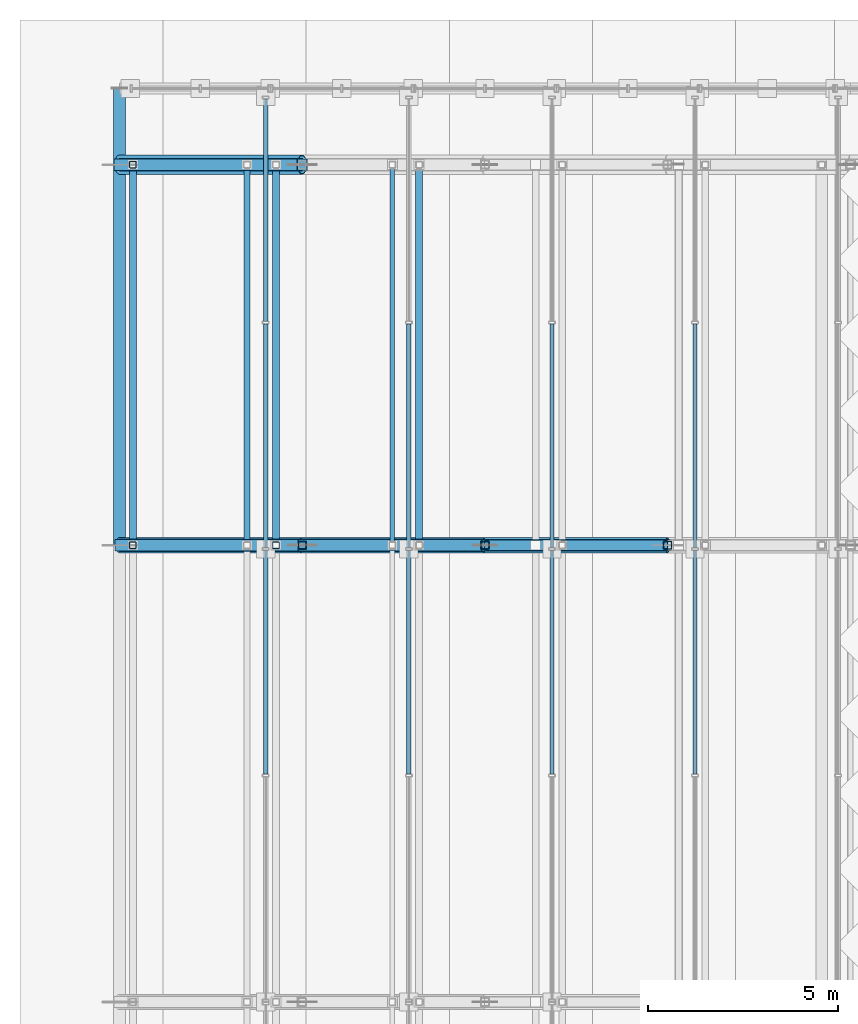
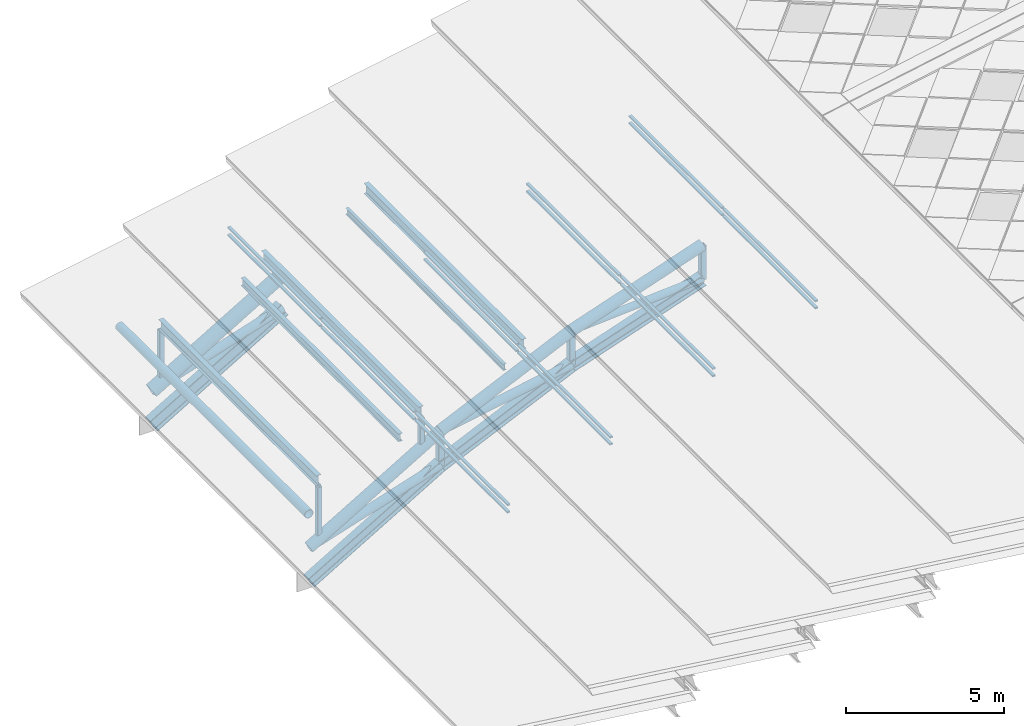
# One storey, part 31 of 117: 41 members, 1 beam, 4 elements without a shape of their own.
"""IFC4 building model written with IfcOpenShell, lengths in metres."""

from ifc_helpers import new_model, si_unit, direction, frame, origin, origin_2d, place, context, subcontext, project, spatial, hollow_rectangle, hollow_circle, i_section, extrude, material, material_profile, profile_set, type_object, element, aggregate, save


model = new_model("IFC4")

# Units and contexts
model_context = context("Model", 3, precision=1e-05, world=origin(), true_north=direction((0.0, 1.0)))
body_context = subcontext(model_context, "Body", "Model", "MODEL_VIEW")
ifc_project = project(units=[si_unit("LENGTHUNIT", "METRE"), si_unit("AREAUNIT", "SQUARE_METRE"), si_unit("VOLUMEUNIT", "CUBIC_METRE"), si_unit("PLANEANGLEUNIT", "RADIAN"), si_unit("MASSUNIT", "GRAM", prefix="KILO")], contexts=[model_context])

# Site, building, storey
site_placement = place(None, origin())
site = spatial("IfcSite", under=ifc_project, at=site_placement, CompositionType="ELEMENT")
building_placement = place(site_placement, origin())
building = spatial("IfcBuilding", under=site, at=building_placement, Name="Merenkruunu Market Hall", CompositionType="ELEMENT")
storey_placement = place(building_placement, frame((0.0, 0.0, 22.800048828125)))
storey = spatial("IfcBuildingStorey", under=building, at=storey_placement, Name="RF", CompositionType="ELEMENT", Elevation=22.800048828125)

# Members
ifc_material_1 = material(Name="Steel S355ML", Category="steel")
ifc_material_profile_1 = material_profile(ifc_material_1, hollow_circle(Radius=0.25390625, WallThickness=0.02001953125, at=origin_2d()), Name="CHS 508x20")
ifc_profile_set_1 = profile_set([ifc_material_profile_1], Name="Steel S355ML")
member_type_1 = type_object("IfcMemberType", Name="Arch Truss Chord TC01", PredefinedType="CHORD", material=ifc_profile_set_1)
member_1_placement = place(storey_placement, frame((0.0, 109.60009765625, -10.150146484375), z_axis=(0.861115679414, 0.0, 0.508409074139), x_axis=(0.0, 1.0, 0.0)))
element("IfcMember", 1, at=member_1_placement, inside=storey, type_object=member_type_1, Name="TRUSS-AT-G-TOP-01", PredefinedType="CHORD", context=body_context, shape_type="SweptSolid", body=[
    extrude(hollow_circle(Radius=0.25390625, WallThickness=0.02001953125, at=origin_2d()), origin(), (0.0, 0.0, 1.0), 5.57421875),
])
ifc_material_profile_2 = material_profile(ifc_material_1, hollow_circle(Radius=0.203125, WallThickness=0.01611328125, at=origin_2d()), Name="CHS 406.4x16")
ifc_profile_set_2 = profile_set([ifc_material_profile_2], Name="Steel S355ML")
member_type_2 = type_object("IfcMemberType", Name="Arch Truss Chord TC02", PredefinedType="CHORD", material=ifc_profile_set_2)
member_2_placement = place(storey_placement, frame((0.0, 99.60009765625, -10.150146484375), z_axis=(0.861115679414, 0.0, 0.508409074139), x_axis=(0.0, 1.0, 0.0)))
element("IfcMember", 2, at=member_2_placement, inside=storey, type_object=member_type_2, Name="TRUSS-AT-8-TOP-01", PredefinedType="CHORD", context=body_context, shape_type="SweptSolid", body=[
    extrude(hollow_circle(Radius=0.203125, WallThickness=0.01611328125, at=origin_2d()), origin(), (0.0, 0.0, 1.0), 5.57421875),
])
member_3_placement = place(storey_placement, frame((4.800048828125, 99.60009765625, -7.316162109375), z_axis=(0.909419998666, 0.0, 0.415878907889), x_axis=(0.0, 1.0, 0.0)))
element("IfcMember", 3, at=member_3_placement, inside=storey, type_object=member_type_2, Name="TRUSS-AT-8-TOP-02", PredefinedType="CHORD", context=body_context, shape_type="SweptSolid", body=[
    extrude(hollow_circle(Radius=0.203125, WallThickness=0.01611328125, at=origin_2d()), origin(), (0.0, 0.0, 1.0), 5.278076171875),
])
member_4_placement = place(storey_placement, frame((9.60009765625, 99.60009765625, -5.12109375), z_axis=(0.946219828174, 0.0, 0.323524399033), x_axis=(0.0, 1.0, 0.0)))
element("IfcMember", 4, at=member_4_placement, inside=storey, type_object=member_type_2, Name="TRUSS-AT-8-TOP-03", PredefinedType="CHORD", context=body_context, shape_type="SweptSolid", body=[
    extrude(hollow_circle(Radius=0.203125, WallThickness=0.01611328125, at=origin_2d()), origin(), (0.0, 0.0, 1.0), 5.072509765625),
])
ifc_material_profile_3 = material_profile(ifc_material_1, i_section(OverallWidth=0.300048828125, OverallDepth=0.550048828125, WebThickness=0.014892578125, FlangeThickness=0.029052734375, FilletRadius=0.027099609375, at=origin_2d()), Name="HEB 550")
ifc_profile_set_3 = profile_set([ifc_material_profile_3], Name="Steel S355ML")
member_type_3 = type_object("IfcMemberType", Name="Arch Truss Chord TC03", PredefinedType="CHORD", material=ifc_profile_set_3)
member_5_placement = place(storey_placement, frame((0.0, 109.60009765625, -11.449951171875), z_axis=(0.861115679414, 0.0, 0.508409074139), x_axis=(0.0, 1.0, 0.0)))
element("IfcMember", 5, at=member_5_placement, inside=storey, type_object=member_type_3, Name="TRUSS-AT-G-BOT-01", PredefinedType="CHORD", context=body_context, shape_type="SweptSolid", body=[
    extrude(i_section(OverallWidth=0.300048828125, OverallDepth=0.550048828125, WebThickness=0.014892578125, FlangeThickness=0.029052734375, FilletRadius=0.027099609375, at=origin_2d()), origin(), (0.0, 0.0, 1.0), 5.57421875),
])
ifc_material_profile_4 = material_profile(ifc_material_1, i_section(OverallWidth=0.300048828125, OverallDepth=0.449951171875, WebThickness=0.013916015625, FlangeThickness=0.02587890625, FilletRadius=0.027099609375, at=origin_2d()), Name="HEB 450")
ifc_profile_set_4 = profile_set([ifc_material_profile_4], Name="Steel S355ML")
member_type_4 = type_object("IfcMemberType", Name="Arch Truss Chord TC04", PredefinedType="CHORD", material=ifc_profile_set_4)
member_6_placement = place(storey_placement, frame((0.0, 99.60009765625, -11.449951171875), z_axis=(0.861115679414, 0.0, 0.508409074139), x_axis=(0.0, 1.0, 0.0)))
element("IfcMember", 6, at=member_6_placement, inside=storey, type_object=member_type_4, Name="TRUSS-AT-8-BOT-01", PredefinedType="CHORD", context=body_context, shape_type="SweptSolid", body=[
    extrude(i_section(OverallWidth=0.300048828125, OverallDepth=0.449951171875, WebThickness=0.013916015625, FlangeThickness=0.02587890625, FilletRadius=0.027099609375, at=origin_2d()), origin(), (0.0, 0.0, 1.0), 5.57421875),
])
member_7_placement = place(storey_placement, frame((4.800048828125, 99.60009765625, -8.615966796875), z_axis=(0.909437492245, 0.0, 0.415840651812), x_axis=(0.0, 1.0, 0.0)))
element("IfcMember", 7, at=member_7_placement, inside=storey, type_object=member_type_4, Name="TRUSS-AT-8-BOT-02", PredefinedType="CHORD", context=body_context, shape_type="SweptSolid", body=[
    extrude(i_section(OverallWidth=0.300048828125, OverallDepth=0.449951171875, WebThickness=0.013916015625, FlangeThickness=0.02587890625, FilletRadius=0.027099609375, at=origin_2d()), origin(), (0.0, 0.0, 1.0), 5.278076171875),
])
member_8_placement = place(storey_placement, frame((9.60009765625, 99.60009765625, -6.421142578125), z_axis=(0.946219828174, 0.0, 0.323524399033), x_axis=(0.0, 1.0, 0.0)))
element("IfcMember", 8, at=member_8_placement, inside=storey, type_object=member_type_4, Name="TRUSS-AT-8-BOT-03", PredefinedType="CHORD", context=body_context, shape_type="SweptSolid", body=[
    extrude(i_section(OverallWidth=0.300048828125, OverallDepth=0.449951171875, WebThickness=0.013916015625, FlangeThickness=0.02587890625, FilletRadius=0.027099609375, at=origin_2d()), origin(), (0.0, 0.0, 1.0), 5.072509765625),
])

# Curtain wall, members
ifc_material_2 = material(Name="Powder-coated aluminium", Category="aluminium")
curtain_wall_type = type_object("IfcCurtainWallType", Name="Clerestory Curtain Band CL05", PredefinedType="USERDEFINED", material=ifc_material_2)
curtain_wall_1_placement = place(storey_placement, origin())
curtain_wall_1 = element("IfcCurtainWall", 9, at=curtain_wall_1_placement, inside=storey, type_object=curtain_wall_type, Name="CW-RF-CWM04-087", ObjectType="CLERESTORY_BAND", PredefinedType="USERDEFINED")
ifc_material_profile_5 = material_profile(ifc_material_2, hollow_rectangle(XDim=0.06005859375, YDim=0.110107421875, WallThickness=0.00390625, at=origin_2d()), Name="ALU 60x110x4")
ifc_profile_set_5 = profile_set([ifc_material_profile_5], Name="Powder-coated aluminium")
member_type_5 = type_object("IfcMemberType", Name="Curtain Wall Transom CWT03", PredefinedType="USERDEFINED", material=ifc_profile_set_5)
member_9_placement = place(storey_placement, frame((3.840087890625, 93.5849609375, -6.491943359375), z_axis=(0.0, 1.0, 0.0), x_axis=(0.0, 0.0, 1.0)))
member_9 = element("IfcMember", 10, at=member_9_placement, type_object=member_type_5, Name="CL05 transom 2.1", ObjectType="TRANSOM", PredefinedType="USERDEFINED", context=body_context, shape_type="SweptSolid", body=[
    extrude(hollow_rectangle(XDim=0.06005859375, YDim=0.110107421875, WallThickness=0.00390625, at=origin_2d()), origin(), (0.0, 0.0, 1.0), 5.880126953125),
])
member_10_placement = place(storey_placement, frame((3.840087890625, 93.5849609375, -6.2041015625), z_axis=(0.0, 1.0, 0.0), x_axis=(0.0, 0.0, 1.0)))
member_10 = element("IfcMember", 11, at=member_10_placement, type_object=member_type_5, Name="CL05 transom 2.2", ObjectType="TRANSOM", PredefinedType="USERDEFINED", context=body_context, shape_type="SweptSolid", body=[
    extrude(hollow_rectangle(XDim=0.06005859375, YDim=0.110107421875, WallThickness=0.00390625, at=origin_2d()), origin(), (0.0, 0.0, 1.0), 5.880126953125),
])
member_11_placement = place(storey_placement, frame((3.840087890625, 99.534912109375, -6.491943359375), z_axis=(0.0, 1.0, 0.0), x_axis=(0.0, 0.0, 1.0)))
member_11 = element("IfcMember", 12, at=member_11_placement, type_object=member_type_5, Name="CL05 transom 3.1", ObjectType="TRANSOM", PredefinedType="USERDEFINED", context=body_context, shape_type="SweptSolid", body=[
    extrude(hollow_rectangle(XDim=0.06005859375, YDim=0.110107421875, WallThickness=0.00390625, at=origin_2d()), origin(), (0.0, 0.0, 1.0), 5.880126953125),
])
member_12_placement = place(storey_placement, frame((3.840087890625, 99.534912109375, -6.2041015625), z_axis=(0.0, 1.0, 0.0), x_axis=(0.0, 0.0, 1.0)))
member_12 = element("IfcMember", 13, at=member_12_placement, type_object=member_type_5, Name="CL05 transom 3.2", ObjectType="TRANSOM", PredefinedType="USERDEFINED", context=body_context, shape_type="SweptSolid", body=[
    extrude(hollow_rectangle(XDim=0.06005859375, YDim=0.110107421875, WallThickness=0.00390625, at=origin_2d()), origin(), (0.0, 0.0, 1.0), 5.880126953125),
])
member_13_placement = place(storey_placement, frame((3.840087890625, 105.485107421875, -6.491943359375), z_axis=(0.0, 1.0, 0.0), x_axis=(0.0, 0.0, 1.0)))
member_13 = element("IfcMember", 14, at=member_13_placement, type_object=member_type_5, Name="CL05 transom 4.1", ObjectType="TRANSOM", PredefinedType="USERDEFINED", context=body_context, shape_type="SweptSolid", body=[
    extrude(hollow_rectangle(XDim=0.06005859375, YDim=0.110107421875, WallThickness=0.00390625, at=origin_2d()), origin(), (0.0, 0.0, 1.0), 5.844970703125),
])
member_14_placement = place(storey_placement, frame((3.840087890625, 105.485107421875, -6.2041015625), z_axis=(0.0, 1.0, 0.0), x_axis=(0.0, 0.0, 1.0)))
member_14 = element("IfcMember", 15, at=member_14_placement, type_object=member_type_5, Name="CL05 transom 4.2", ObjectType="TRANSOM", PredefinedType="USERDEFINED", context=body_context, shape_type="SweptSolid", body=[
    extrude(hollow_rectangle(XDim=0.06005859375, YDim=0.110107421875, WallThickness=0.00390625, at=origin_2d()), origin(), (0.0, 0.0, 1.0), 5.844970703125),
])
aggregate(curtain_wall_1, [member_9, member_10, member_11, member_12, member_13, member_14])

curtain_wall_2_placement = place(storey_placement, origin())
curtain_wall_2 = element("IfcCurtainWall", 16, at=curtain_wall_2_placement, inside=storey, type_object=curtain_wall_type, Name="CW-RF-CWM04-095", ObjectType="CLERESTORY_BAND", PredefinedType="USERDEFINED")
member_15_placement = place(storey_placement, frame((7.60009765625, 93.5849609375, -5.172119140625), z_axis=(0.0, 1.0, 0.0), x_axis=(0.0, 0.0, 1.0)))
member_15 = element("IfcMember", 17, at=member_15_placement, type_object=member_type_5, Name="CL05 transom 2.1", ObjectType="TRANSOM", PredefinedType="USERDEFINED", context=body_context, shape_type="SweptSolid", body=[
    extrude(hollow_rectangle(XDim=0.06005859375, YDim=0.110107421875, WallThickness=0.00390625, at=origin_2d()), origin(), (0.0, 0.0, 1.0), 5.880126953125),
])
member_16_placement = place(storey_placement, frame((7.60009765625, 93.5849609375, -4.905029296875), z_axis=(0.0, 1.0, 0.0), x_axis=(0.0, 0.0, 1.0)))
member_16 = element("IfcMember", 18, at=member_16_placement, type_object=member_type_5, Name="CL05 transom 2.2", ObjectType="TRANSOM", PredefinedType="USERDEFINED", context=body_context, shape_type="SweptSolid", body=[
    extrude(hollow_rectangle(XDim=0.06005859375, YDim=0.110107421875, WallThickness=0.00390625, at=origin_2d()), origin(), (0.0, 0.0, 1.0), 5.880126953125),
])
member_17_placement = place(storey_placement, frame((7.60009765625, 99.534912109375, -5.172119140625), z_axis=(0.0, 1.0, 0.0), x_axis=(0.0, 0.0, 1.0)))
member_17 = element("IfcMember", 19, at=member_17_placement, type_object=member_type_5, Name="CL05 transom 3.1", ObjectType="TRANSOM", PredefinedType="USERDEFINED", context=body_context, shape_type="SweptSolid", body=[
    extrude(hollow_rectangle(XDim=0.06005859375, YDim=0.110107421875, WallThickness=0.00390625, at=origin_2d()), origin(), (0.0, 0.0, 1.0), 5.880126953125),
])
member_18_placement = place(storey_placement, frame((7.60009765625, 99.534912109375, -4.905029296875), z_axis=(0.0, 1.0, 0.0), x_axis=(0.0, 0.0, 1.0)))
member_18 = element("IfcMember", 20, at=member_18_placement, type_object=member_type_5, Name="CL05 transom 3.2", ObjectType="TRANSOM", PredefinedType="USERDEFINED", context=body_context, shape_type="SweptSolid", body=[
    extrude(hollow_rectangle(XDim=0.06005859375, YDim=0.110107421875, WallThickness=0.00390625, at=origin_2d()), origin(), (0.0, 0.0, 1.0), 5.880126953125),
])
aggregate(curtain_wall_2, [member_15, member_16, member_17, member_18])

curtain_wall_3_placement = place(storey_placement, origin())
curtain_wall_3 = element("IfcCurtainWall", 21, at=curtain_wall_3_placement, inside=storey, type_object=curtain_wall_type, Name="CW-RF-CWM04-103", ObjectType="CLERESTORY_BAND", PredefinedType="USERDEFINED")
member_19_placement = place(storey_placement, frame((11.360107421875, 93.5849609375, -3.85205078125), z_axis=(0.0, 1.0, 0.0), x_axis=(0.0, 0.0, 1.0)))
member_19 = element("IfcMember", 22, at=member_19_placement, type_object=member_type_5, Name="CL05 transom 2.1", ObjectType="TRANSOM", PredefinedType="USERDEFINED", context=body_context, shape_type="SweptSolid", body=[
    extrude(hollow_rectangle(XDim=0.06005859375, YDim=0.110107421875, WallThickness=0.00390625, at=origin_2d()), origin(), (0.0, 0.0, 1.0), 5.880126953125),
])
member_20_placement = place(storey_placement, frame((11.360107421875, 93.5849609375, -3.56396484375), z_axis=(0.0, 1.0, 0.0), x_axis=(0.0, 0.0, 1.0)))
member_20 = element("IfcMember", 23, at=member_20_placement, type_object=member_type_5, Name="CL05 transom 2.2", ObjectType="TRANSOM", PredefinedType="USERDEFINED", context=body_context, shape_type="SweptSolid", body=[
    extrude(hollow_rectangle(XDim=0.06005859375, YDim=0.110107421875, WallThickness=0.00390625, at=origin_2d()), origin(), (0.0, 0.0, 1.0), 5.880126953125),
])
member_21_placement = place(storey_placement, frame((11.360107421875, 99.534912109375, -3.85205078125), z_axis=(0.0, 1.0, 0.0), x_axis=(0.0, 0.0, 1.0)))
member_21 = element("IfcMember", 24, at=member_21_placement, type_object=member_type_5, Name="CL05 transom 3.1", ObjectType="TRANSOM", PredefinedType="USERDEFINED", context=body_context, shape_type="SweptSolid", body=[
    extrude(hollow_rectangle(XDim=0.06005859375, YDim=0.110107421875, WallThickness=0.00390625, at=origin_2d()), origin(), (0.0, 0.0, 1.0), 5.880126953125),
])
member_22_placement = place(storey_placement, frame((11.360107421875, 99.534912109375, -3.56396484375), z_axis=(0.0, 1.0, 0.0), x_axis=(0.0, 0.0, 1.0)))
member_22 = element("IfcMember", 25, at=member_22_placement, type_object=member_type_5, Name="CL05 transom 3.2", ObjectType="TRANSOM", PredefinedType="USERDEFINED", context=body_context, shape_type="SweptSolid", body=[
    extrude(hollow_rectangle(XDim=0.06005859375, YDim=0.110107421875, WallThickness=0.00390625, at=origin_2d()), origin(), (0.0, 0.0, 1.0), 5.880126953125),
])
aggregate(curtain_wall_3, [member_19, member_20, member_21, member_22])

curtain_wall_4_placement = place(storey_placement, origin())
curtain_wall_4 = element("IfcCurtainWall", 26, at=curtain_wall_4_placement, inside=storey, type_object=curtain_wall_type, Name="CW-RF-CWM04-111", ObjectType="CLERESTORY_BAND", PredefinedType="USERDEFINED")
member_23_placement = place(storey_placement, frame((15.1201171875, 93.5849609375, -2.531982421875), z_axis=(0.0, 1.0, 0.0), x_axis=(0.0, 0.0, 1.0)))
member_23 = element("IfcMember", 27, at=member_23_placement, type_object=member_type_5, Name="CL05 transom 2.1", ObjectType="TRANSOM", PredefinedType="USERDEFINED", context=body_context, shape_type="SweptSolid", body=[
    extrude(hollow_rectangle(XDim=0.06005859375, YDim=0.110107421875, WallThickness=0.00390625, at=origin_2d()), origin(), (0.0, 0.0, 1.0), 5.880126953125),
])
member_24_placement = place(storey_placement, frame((15.1201171875, 93.5849609375, -2.26513671875), z_axis=(0.0, 1.0, 0.0), x_axis=(0.0, 0.0, 1.0)))
member_24 = element("IfcMember", 28, at=member_24_placement, type_object=member_type_5, Name="CL05 transom 2.2", ObjectType="TRANSOM", PredefinedType="USERDEFINED", context=body_context, shape_type="SweptSolid", body=[
    extrude(hollow_rectangle(XDim=0.06005859375, YDim=0.110107421875, WallThickness=0.00390625, at=origin_2d()), origin(), (0.0, 0.0, 1.0), 5.880126953125),
])
member_25_placement = place(storey_placement, frame((15.1201171875, 99.534912109375, -2.531982421875), z_axis=(0.0, 1.0, 0.0), x_axis=(0.0, 0.0, 1.0)))
member_25 = element("IfcMember", 29, at=member_25_placement, type_object=member_type_5, Name="CL05 transom 3.1", ObjectType="TRANSOM", PredefinedType="USERDEFINED", context=body_context, shape_type="SweptSolid", body=[
    extrude(hollow_rectangle(XDim=0.06005859375, YDim=0.110107421875, WallThickness=0.00390625, at=origin_2d()), origin(), (0.0, 0.0, 1.0), 5.880126953125),
])
member_26_placement = place(storey_placement, frame((15.1201171875, 99.534912109375, -2.26513671875), z_axis=(0.0, 1.0, 0.0), x_axis=(0.0, 0.0, 1.0)))
member_26 = element("IfcMember", 30, at=member_26_placement, type_object=member_type_5, Name="CL05 transom 3.2", ObjectType="TRANSOM", PredefinedType="USERDEFINED", context=body_context, shape_type="SweptSolid", body=[
    extrude(hollow_rectangle(XDim=0.06005859375, YDim=0.110107421875, WallThickness=0.00390625, at=origin_2d()), origin(), (0.0, 0.0, 1.0), 5.880126953125),
])
aggregate(curtain_wall_4, [member_23, member_24, member_25, member_26])

# Members
ifc_material_profile_6 = material_profile(ifc_material_1, hollow_circle(Radius=0.161865234375, WallThickness=0.01611328125, at=origin_2d()), Name="CHS 323.9x16")
ifc_profile_set_6 = profile_set([ifc_material_profile_6], Name="Steel S355ML")
member_type_6 = type_object("IfcMemberType", Name="Diagonal Sway Brace BR01", PredefinedType="BRACE", material=ifc_profile_set_6)
member_27_placement = place(storey_placement, frame((0.0, 99.60009765625, -10.150146484375), z_axis=(0.95252984503, 0.0, 0.304445223853), x_axis=(0.0, 1.0, 0.0)))
element("IfcMember", 31, at=member_27_placement, inside=storey, type_object=member_type_6, Name="TRUSS-AT-8-DIAG-01", PredefinedType="BRACE", context=body_context, shape_type="SweptSolid", body=[
    extrude(hollow_circle(Radius=0.161865234375, WallThickness=0.01611328125, at=origin_2d()), origin(), (0.0, 0.0, 1.0), 5.039306640625),
])
member_28_placement = place(storey_placement, frame((4.800048828125, 99.60009765625, -7.316162109375), z_axis=(0.983056786802, 0.0, 0.18330126547), x_axis=(0.0, 1.0, 0.0)))
element("IfcMember", 32, at=member_28_placement, inside=storey, type_object=member_type_6, Name="TRUSS-AT-8-DIAG-02", PredefinedType="BRACE", context=body_context, shape_type="SweptSolid", body=[
    extrude(hollow_circle(Radius=0.161865234375, WallThickness=0.01611328125, at=origin_2d()), origin(), (0.0, 0.0, 1.0), 4.8828125),
])
member_29_placement = place(storey_placement, frame((0.0, 109.60009765625, -10.150146484375), z_axis=(0.95252984503, 0.0, 0.304445223853), x_axis=(0.0, 1.0, 0.0)))
element("IfcMember", 33, at=member_29_placement, inside=storey, type_object=member_type_6, Name="TRUSS-AT-G-DIAG-01", PredefinedType="BRACE", context=body_context, shape_type="SweptSolid", body=[
    extrude(hollow_circle(Radius=0.161865234375, WallThickness=0.01611328125, at=origin_2d()), origin(), (0.0, 0.0, 1.0), 5.039306640625),
])
ifc_material_profile_7 = material_profile(ifc_material_1, hollow_circle(Radius=0.136474609375, WallThickness=0.012451171875, at=origin_2d()), Name="CHS 273x12.5")
ifc_profile_set_7 = profile_set([ifc_material_profile_7], Name="Steel S355ML")
member_type_7 = type_object("IfcMemberType", Name="Diagonal Sway Brace BR02", PredefinedType="BRACE", material=ifc_profile_set_7)
member_30_placement = place(storey_placement, frame((9.60009765625, 99.60009765625, -5.12109375), z_axis=(0.997484901828, 0.0, 0.070879267948), x_axis=(0.0, 1.0, 0.0)))
element("IfcMember", 34, at=member_30_placement, inside=storey, type_object=member_type_7, Name="TRUSS-AT-8-DIAG-03", PredefinedType="BRACE", context=body_context, shape_type="SweptSolid", body=[
    extrude(hollow_circle(Radius=0.136474609375, WallThickness=0.012451171875, at=origin_2d()), origin(), (0.0, 0.0, 1.0), 4.81201171875),
])
ifc_material_3 = material(Name="Steel S355J2", Category="steel")
ifc_material_profile_8 = material_profile(ifc_material_3, hollow_rectangle(XDim=0.219970703125, YDim=0.219970703125, WallThickness=0.012451171875, InnerFilletRadius=0.012451171875, OuterFilletRadius=0.02490234375, at=origin_2d()), Name="SHS 220x220x12.5")
ifc_profile_set_8 = profile_set([ifc_material_profile_8], Name="Steel S355J2")
member_type_8 = type_object("IfcMemberType", Name="Diagonal Sway Brace BR04", PredefinedType="BRACE", material=ifc_profile_set_8)
member_31_placement = place(storey_placement, frame((4.800048828125, 99.60009765625, -8.615966796875), z_axis=(0.0, 0.0, 1.0), x_axis=(1.0, 0.0, 0.0)))
element("IfcMember", 35, at=member_31_placement, inside=storey, type_object=member_type_8, Name="TRUSS-AT-8-POST-01", PredefinedType="BRACE", context=body_context, shape_type="SweptSolid", body=[
    extrude(hollow_rectangle(XDim=0.219970703125, YDim=0.219970703125, WallThickness=0.012451171875, InnerFilletRadius=0.012451171875, OuterFilletRadius=0.02490234375, at=origin_2d()), origin(), (0.0, 0.0, 1.0), 1.2998046875),
])
for number, where, z_axis, x_axis, name in (
    (36, (9.60009765625, 99.60009765625, -6.421142578125), (0.0, 0.0, 1.0), (1.0, 0.0, 0.0), "TRUSS-AT-8-POST-02"),
    (37, (14.39990234375, 99.60009765625, -4.780029296875), (0.0, 0.0, 1.0), (1.0, 0.0, 0.0), "TRUSS-AT-8-POST-03"),
):
    element("IfcMember", number, at=place(storey_placement, frame(where, z_axis=z_axis, x_axis=x_axis)), inside=storey, type_object=member_type_8, Name=name, PredefinedType="BRACE", context=body_context, shape_type="SweptSolid", body=[
        extrude(hollow_rectangle(XDim=0.219970703125, YDim=0.219970703125, WallThickness=0.012451171875, InnerFilletRadius=0.012451171875, OuterFilletRadius=0.02490234375, at=origin_2d()), origin(), (0.0, 0.0, 1.0), 1.300048828125),
    ])
ifc_material_profile_9 = material_profile(ifc_material_3, hollow_rectangle(XDim=0.179931640625, YDim=0.179931640625, WallThickness=0.010009765625, InnerFilletRadius=0.010009765625, OuterFilletRadius=0.02001953125, at=origin_2d()), Name="SHS 180x180x10")
ifc_profile_set_9 = profile_set([ifc_material_profile_9], Name="Steel S355J2")
member_type_9 = type_object("IfcMemberType", Name="Diagonal Sway Brace BR05", PredefinedType="BRACE", material=ifc_profile_set_9)
member_32_placement = place(storey_placement, frame((0.35009765625, 99.60009765625, -9.751953125), z_axis=(0.0, 0.0, 1.0), x_axis=(1.0, 0.0, 0.0)))
element("IfcMember", 38, at=member_32_placement, inside=storey, type_object=member_type_9, Name="TRUSS-AT-8-RISER-W1-1", PredefinedType="BRACE", context=body_context, shape_type="SweptSolid", body=[
    extrude(hollow_rectangle(XDim=0.179931640625, YDim=0.179931640625, WallThickness=0.010009765625, InnerFilletRadius=0.010009765625, OuterFilletRadius=0.02001953125, at=origin_2d()), origin(), (0.0, 0.0, 1.0), 1.853515625),
])
member_33_placement = place(storey_placement, frame((4.110107421875, 99.60009765625, -7.53173828125), z_axis=(0.0, 0.0, 1.0), x_axis=(1.0, 0.0, 0.0)))
element("IfcMember", 39, at=member_33_placement, inside=storey, type_object=member_type_9, Name="TRUSS-AT-8-RISER-W2-1", PredefinedType="BRACE", context=body_context, shape_type="SweptSolid", body=[
    extrude(hollow_rectangle(XDim=0.179931640625, YDim=0.179931640625, WallThickness=0.010009765625, InnerFilletRadius=0.010009765625, OuterFilletRadius=0.02001953125, at=origin_2d()), origin(), (0.0, 0.0, 1.0), 0.9736328125),
])
member_34_placement = place(storey_placement, frame((0.35009765625, 109.60009765625, -9.700927734375), z_axis=(0.0, 0.0, 1.0), x_axis=(1.0, 0.0, 0.0)))
element("IfcMember", 40, at=member_34_placement, inside=storey, type_object=member_type_9, Name="TRUSS-AT-G-RISER-W1-1", PredefinedType="BRACE", context=body_context, shape_type="SweptSolid", body=[
    extrude(hollow_rectangle(XDim=0.179931640625, YDim=0.179931640625, WallThickness=0.010009765625, InnerFilletRadius=0.010009765625, OuterFilletRadius=0.02001953125, at=origin_2d()), origin(), (0.0, 0.0, 1.0), 1.802490234375),
])

# Beam
ifc_material_profile_10 = material_profile(ifc_material_1, hollow_circle(Radius=0.161865234375, WallThickness=0.01611328125, at=origin_2d()), Name="CHS 323.9x16")
ifc_profile_set_10 = profile_set([ifc_material_profile_10], Name="Steel S355ML")
beam_type = type_object("IfcBeamType", Name="Perimeter Spandrel Beam SP05", PredefinedType="SPANDREL", material=ifc_profile_set_10)
beam_placement = place(storey_placement, frame((0.0, 99.60009765625, -8.862060546875), z_axis=(0.0, 1.0, 0.0), x_axis=(-1.0, 0.0, 0.0)))
element("IfcBeam", 41, at=beam_placement, inside=storey, type_object=beam_type, Name="BM-RF-SP05-1292", PredefinedType="SPANDREL", context=body_context, shape_type="SweptSolid", body=[
    extrude(hollow_circle(Radius=0.161865234375, WallThickness=0.01611328125, at=origin_2d()), origin(), (0.0, 0.0, 1.0), 12.0),
])

# Members
ifc_material_profile_11 = material_profile(ifc_material_1, i_section(OverallWidth=0.14990234375, OverallDepth=0.300048828125, WebThickness=0.007080078125, FlangeThickness=0.0107421875, FilletRadius=0.014892578125, at=origin_2d()), Name="IPE 300")
ifc_profile_set_11 = profile_set([ifc_material_profile_11], Name="Steel S355ML")
member_type_10 = type_object("IfcMemberType", Name="Roof Purlin Rafter PR01", PredefinedType="PURLIN", material=ifc_profile_set_11)
member_35_placement = place(storey_placement, frame((3.35009765625, 99.60009765625, -7.071533203125), z_axis=(0.0, 1.0, 0.0), x_axis=(-1.0, 0.0, 0.0)))
element("IfcMember", 42, at=member_35_placement, inside=storey, type_object=member_type_10, Name="MEM-RF-PURL-W-031", PredefinedType="PURLIN", context=body_context, shape_type="SweptSolid", body=[
    extrude(i_section(OverallWidth=0.14990234375, OverallDepth=0.300048828125, WebThickness=0.007080078125, FlangeThickness=0.0107421875, FilletRadius=0.014892578125, at=origin_2d()), origin(), (0.0, 0.0, 1.0), 10.0),
])
ifc_material_profile_12 = material_profile(ifc_material_1, i_section(OverallWidth=0.1201171875, OverallDepth=0.239990234375, WebThickness=0.006103515625, FlangeThickness=0.009765625, FilletRadius=0.014892578125, at=origin_2d()), Name="IPE 240")
ifc_profile_set_12 = profile_set([ifc_material_profile_12], Name="Steel S355ML")
member_type_11 = type_object("IfcMemberType", Name="Roof Purlin Rafter PR02", PredefinedType="PURLIN", material=ifc_profile_set_12)
member_36_placement = place(storey_placement, frame((7.169921875, 99.60009765625, -5.687255859375), z_axis=(0.0, 1.0, 0.0), x_axis=(-1.0, 0.0, 0.0)))
element("IfcMember", 43, at=member_36_placement, inside=storey, type_object=member_type_11, Name="MEM-RF-PURL-W-063", PredefinedType="PURLIN", context=body_context, shape_type="SweptSolid", body=[
    extrude(i_section(OverallWidth=0.1201171875, OverallDepth=0.239990234375, WebThickness=0.006103515625, FlangeThickness=0.009765625, FilletRadius=0.014892578125, at=origin_2d()), origin(), (0.0, 0.0, 1.0), 10.0),
])
ifc_material_profile_13 = material_profile(ifc_material_1, i_section(OverallWidth=0.179931640625, OverallDepth=0.39990234375, WebThickness=0.008544921875, FlangeThickness=0.013427734375, FilletRadius=0.02099609375, at=origin_2d()), Name="IPE 400")
ifc_profile_set_13 = profile_set([ifc_material_profile_13], Name="Steel S355ML")
member_type_12 = type_object("IfcMemberType", Name="Roof Purlin Rafter PR09", PredefinedType="PURLIN", material=ifc_profile_set_13)
for number, where, z_axis, x_axis, name in (
    (44, (0.35009765625, 99.60009765625, -7.680419921875), (0.0, 1.0, 0.0), (-1.0, 0.0, 0.0), "MEM-RF-PURL-W-015"),
    (45, (4.110107421875, 99.60009765625, -6.340087890625), (0.0, 1.0, 0.0), (-1.0, 0.0, 0.0), "MEM-RF-PURL-W-047"),
    (46, (7.8701171875, 99.60009765625, -5.040283203125), (0.0, 1.0, 0.0), (-1.0, 0.0, 0.0), "MEM-RF-PURL-W-079"),
):
    element("IfcMember", number, at=place(storey_placement, frame(where, z_axis=z_axis, x_axis=x_axis)), inside=storey, type_object=member_type_12, Name=name, PredefinedType="PURLIN", context=body_context, shape_type="SweptSolid", body=[
        extrude(i_section(OverallWidth=0.179931640625, OverallDepth=0.39990234375, WebThickness=0.008544921875, FlangeThickness=0.013427734375, FilletRadius=0.02099609375, at=origin_2d()), origin(), (0.0, 0.0, 1.0), 10.0),
    ])

save(model, "model.ifc")
